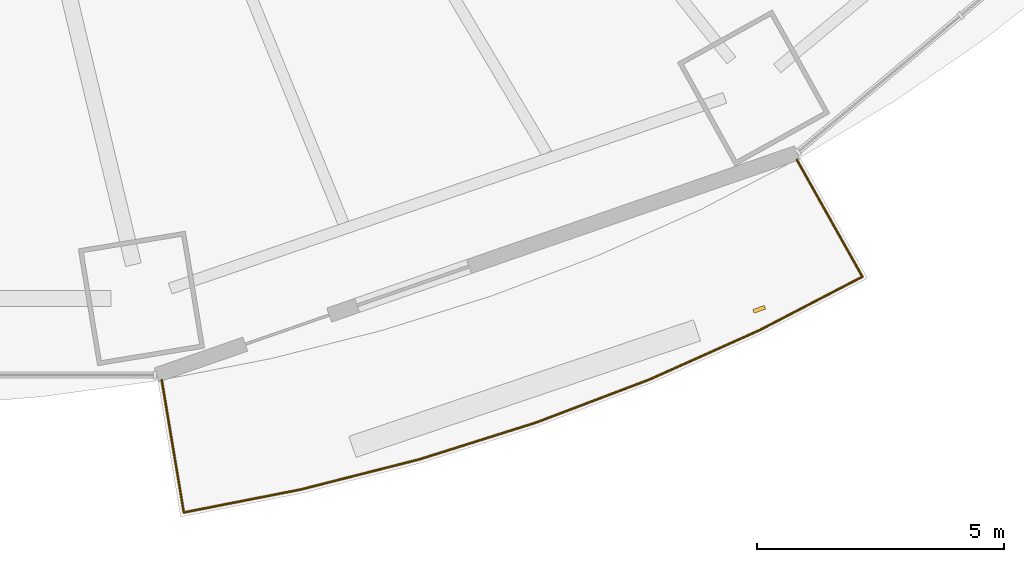
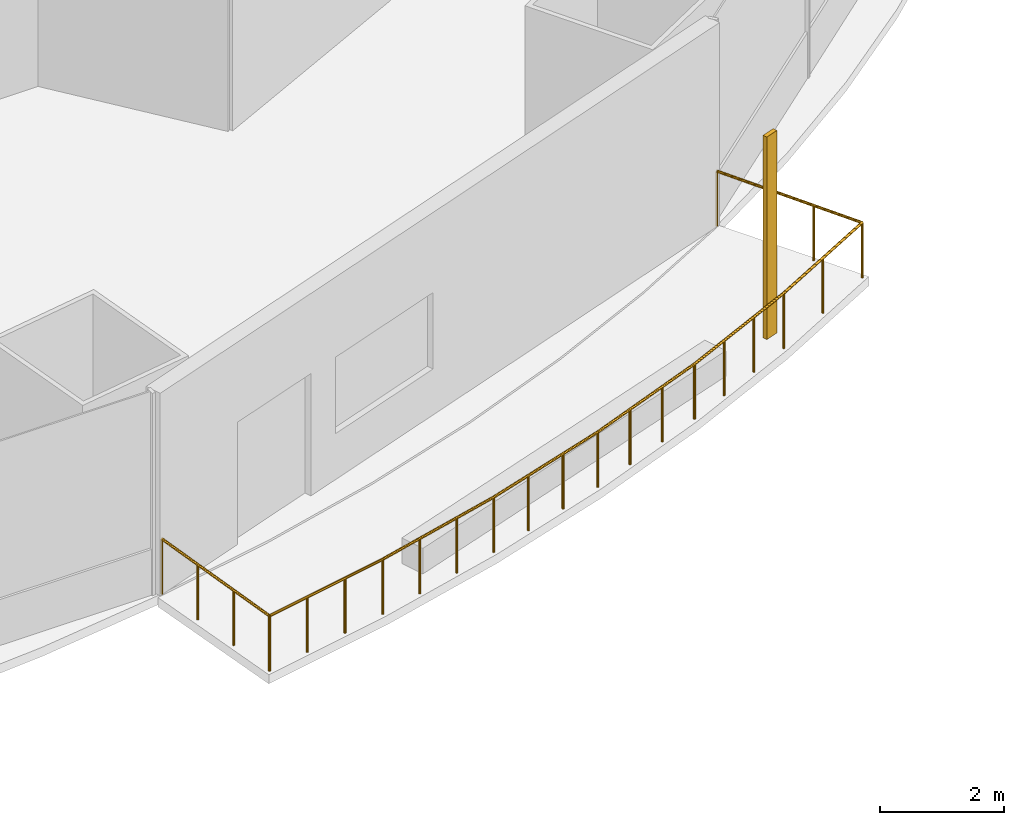
# One storey, part 19 of 23: 1 railing, 1 shading device.
"""IFC4 building model written with IfcOpenShell, lengths in metres."""

from ifc_helpers import new_model, si_unit, direction, frame, origin, origin_2d, place, context, subcontext, project, spatial, rectangle, circle, extrude, material, material_profile, profile_set, type_object, element, save


model = new_model("IFC4")

# Units and contexts
model_context = context("Model", 3, precision=1e-05, world=origin(), true_north=direction((0.0, 1.0)))
body_context = subcontext(model_context, "Body", "Model", "MODEL_VIEW")
ifc_project = project(units=[si_unit("LENGTHUNIT", "METRE"), si_unit("AREAUNIT", "SQUARE_METRE"), si_unit("VOLUMEUNIT", "CUBIC_METRE"), si_unit("PLANEANGLEUNIT", "RADIAN"), si_unit("MASSUNIT", "GRAM", prefix="KILO")], contexts=[model_context])

# Site, building, storey
site_placement = place(None, origin())
site = spatial("IfcSite", under=ifc_project, at=site_placement, CompositionType="ELEMENT")
building_placement = place(site_placement, origin())
building = spatial("IfcBuilding", under=site, at=building_placement, Name="Marenthal Gate Tower", CompositionType="ELEMENT")
storey_placement = place(building_placement, frame((0.0, 0.0, 62.050048828125)))
storey = spatial("IfcBuildingStorey", under=building, at=storey_placement, Name="L11", CompositionType="ELEMENT", Elevation=62.050048828125)

# Railing
ifc_material_1 = material(Name="Stainless steel", Category="steel")
railing_type = type_object("IfcRailingType", Name="Balcony guard 1100", PredefinedType="GUARDRAIL", material=ifc_material_1)
railing_placement = place(storey_placement, frame((19.99462890625, -25.206787109375, 0.0)))
element("IfcRailing", 1, at=railing_placement, inside=storey, type_object=railing_type, Name="Balcony guard L11 bay 13", PredefinedType="GUARDRAIL", context=body_context, shape_type="SweptSolid", body=[
    extrude(circle(Radius=0.02392578125, at=origin_2d()), frame((0.0, 0.0, 1.076171875), z_axis=(0.488848293332, -0.872244641619, -0.014718399138), x_axis=(0.872339134705, 0.488901251851, 0.0)), (0.0, 0.0, 1.0), 2.720458984375),
    extrude(circle(Radius=0.02392578125, at=origin_2d()), frame((1.329833984375, -2.372802734375, 1.0361328125), z_axis=(-0.887238949587, -0.461310141159, 0.0), x_axis=(0.461310141159, -0.887238949587, 0.0)), (0.0, 0.0, 1.0), 2.34619140625),
    extrude(circle(Radius=0.02392578125, at=origin_2d()), frame((-0.751708984375, -3.455078125, 1.0361328125), z_axis=(-0.912604464389, -0.408843602833, 0.0), x_axis=(0.408843602833, -0.912604464389, 0.0)), (0.0, 0.0, 1.0), 2.443603515625),
    extrude(circle(Radius=0.02392578125, at=origin_2d()), frame((-2.981689453125, -4.4541015625, 1.0361328125), z_axis=(-0.934856725019, -0.355025215564, 0.0), x_axis=(0.355025215564, -0.934856725019, 0.0)), (0.0, 0.0, 1.0), 2.459716796875),
    extrude(circle(Radius=0.02392578125, at=origin_2d()), frame((-5.28125, -5.327392578125, 1.0361328125), z_axis=(-0.953670609563, -0.300852735495, 0.0), x_axis=(0.300852735495, -0.953670609563, 0.0)), (0.0, 0.0, 1.0), 2.474365234375),
    extrude(circle(Radius=0.02392578125, at=origin_2d()), frame((-7.640869140625, -6.07177734375, 1.0361328125), z_axis=(-0.969164557422, -0.24641440834, 0.0), x_axis=(0.24641440834, -0.969164557422, 0.0)), (0.0, 0.0, 1.0), 2.48681640625),
    extrude(circle(Radius=0.02392578125, at=origin_2d()), frame((-10.051025390625, -6.6845703125, 1.0361328125), z_axis=(-0.981247114518, -0.192753988932, 0.0), x_axis=(0.192753988932, -0.981247114518, 0.0)), (0.0, 0.0, 1.0), 2.416748046875),
    extrude(circle(Radius=0.02392578125, at=origin_2d()), frame((-12.42236328125, -7.150390625, 1.0361328125), z_axis=(-0.164599482451, 0.986250661205, 0.014718819587), x_axis=(-0.986357511038, -0.164617315064, 0.0)), (0.0, 0.0, 1.0), 2.72021484375),
    extrude(circle(Radius=0.02099609375, at=origin_2d()), origin(), (0.0, 0.0, 1.0), 1.052001953125),
    extrude(circle(Radius=0.02099609375, at=origin_2d()), frame((0.443359375, -0.791015625, -0.013427734375)), (0.0, 0.0, 1.0), 1.052001953125),
    extrude(circle(Radius=0.02099609375, at=origin_2d()), frame((0.886474609375, -1.581787109375, -0.026611328125)), (0.0, 0.0, 1.0), 1.052001953125),
    extrude(circle(Radius=0.02099609375, at=origin_2d()), frame((1.329833984375, -2.372802734375, -0.0400390625)), (0.0, 0.0, 1.0), 1.052001953125),
    extrude(circle(Radius=0.02099609375, at=origin_2d()), frame((0.2890625, -2.9140625, -0.0400390625)), (0.0, 0.0, 1.0), 1.052001953125),
    extrude(circle(Radius=0.02099609375, at=origin_2d()), frame((-0.751708984375, -3.455078125, -0.0400390625)), (0.0, 0.0, 1.0), 1.052001953125),
    extrude(circle(Radius=0.02099609375, at=origin_2d()), frame((-1.4951171875, -3.7880859375, -0.0400390625)), (0.0, 0.0, 1.0), 1.052001953125),
    extrude(circle(Radius=0.02099609375, at=origin_2d()), frame((-2.23828125, -4.12109375, -0.0400390625)), (0.0, 0.0, 1.0), 1.052001953125),
    extrude(circle(Radius=0.02099609375, at=origin_2d()), frame((-2.981689453125, -4.4541015625, -0.0400390625)), (0.0, 0.0, 1.0), 1.052001953125),
    extrude(circle(Radius=0.02099609375, at=origin_2d()), frame((-3.748291015625, -4.7451171875, -0.0400390625)), (0.0, 0.0, 1.0), 1.052001953125),
    extrude(circle(Radius=0.02099609375, at=origin_2d()), frame((-4.5146484375, -5.036376953125, -0.0400390625)), (0.0, 0.0, 1.0), 1.052001953125),
    extrude(circle(Radius=0.02099609375, at=origin_2d()), frame((-5.28125, -5.327392578125, -0.0400390625)), (0.0, 0.0, 1.0), 1.052001953125),
    extrude(circle(Radius=0.02099609375, at=origin_2d()), frame((-6.06787109375, -5.575439453125, -0.0400390625)), (0.0, 0.0, 1.0), 1.052001953125),
    extrude(circle(Radius=0.02099609375, at=origin_2d()), frame((-6.854248046875, -5.82373046875, -0.0400390625)), (0.0, 0.0, 1.0), 1.052001953125),
    extrude(circle(Radius=0.02099609375, at=origin_2d()), frame((-7.640869140625, -6.07177734375, -0.0400390625)), (0.0, 0.0, 1.0), 1.052001953125),
    extrude(circle(Radius=0.02099609375, at=origin_2d()), frame((-8.4443359375, -6.276123046875, -0.0400390625)), (0.0, 0.0, 1.0), 1.052001953125),
    extrude(circle(Radius=0.02099609375, at=origin_2d()), frame((-9.24755859375, -6.480224609375, -0.0400390625)), (0.0, 0.0, 1.0), 1.052001953125),
    extrude(circle(Radius=0.02099609375, at=origin_2d()), frame((-10.051025390625, -6.6845703125, -0.0400390625)), (0.0, 0.0, 1.0), 1.052001953125),
    extrude(circle(Radius=0.02099609375, at=origin_2d()), frame((-10.841552734375, -6.83984375, -0.0400390625)), (0.0, 0.0, 1.0), 1.052001953125),
    extrude(circle(Radius=0.02099609375, at=origin_2d()), frame((-11.6318359375, -6.9951171875, -0.0400390625)), (0.0, 0.0, 1.0), 1.052001953125),
    extrude(circle(Radius=0.02099609375, at=origin_2d()), frame((-12.42236328125, -7.150390625, -0.0400390625)), (0.0, 0.0, 1.0), 1.052001953125),
    extrude(circle(Radius=0.02099609375, at=origin_2d()), frame((-12.571533203125, -6.256103515625, -0.026611328125)), (0.0, 0.0, 1.0), 1.052001953125),
    extrude(circle(Radius=0.02099609375, at=origin_2d()), frame((-12.720947265625, -5.36181640625, -0.013427734375)), (0.0, 0.0, 1.0), 1.052001953125),
    extrude(circle(Radius=0.02099609375, at=origin_2d()), frame((-12.8701171875, -4.467529296875, 0.0)), (0.0, 0.0, 1.0), 1.052001953125),
])

# Shading device
ifc_material_2 = material(Name="Terracotta", Category="masonry")
ifc_material_profile = material_profile(ifc_material_2, rectangle(XDim=0.25, YDim=0.080078125, at=origin_2d()), Name="Terracotta baguette 250x80")
ifc_profile_set = profile_set([ifc_material_profile], Name="Terracotta")
shading_device_type = type_object("IfcShadingDeviceType", Name="Terracotta BAGUETTE SCREEN 250x80", PredefinedType="USERDEFINED", material=ifc_profile_set)
shading_device_placement = place(storey_placement, frame((19.23291015625, -28.24072265625, -0.0400390625), z_axis=(0.0, 0.0, 1.0), x_axis=(0.944672154092, 0.32801603815, 0.0)))
element("IfcShadingDevice", 2, at=shading_device_placement, inside=storey, type_object=shading_device_type, Name="Terracotta BAGUETTE L11 bay 13R", ObjectType="BAGUETTE SCREEN", PredefinedType="USERDEFINED", context=body_context, shape_type="SweptSolid", body=[
    extrude(rectangle(XDim=0.25, YDim=0.080078125, at=origin_2d()), origin(), (0.0, 0.0, 1.0), 3.969970703125),
])

save(model, "model.ifc")
